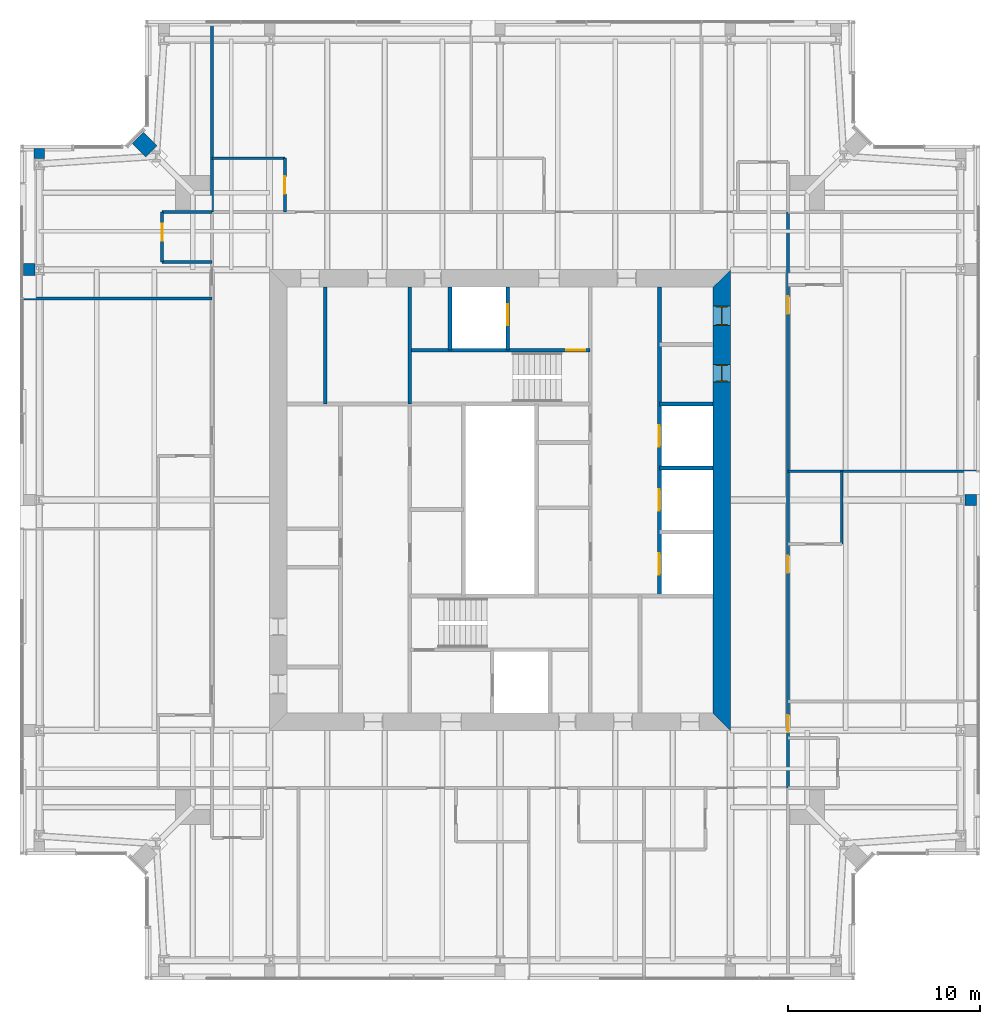
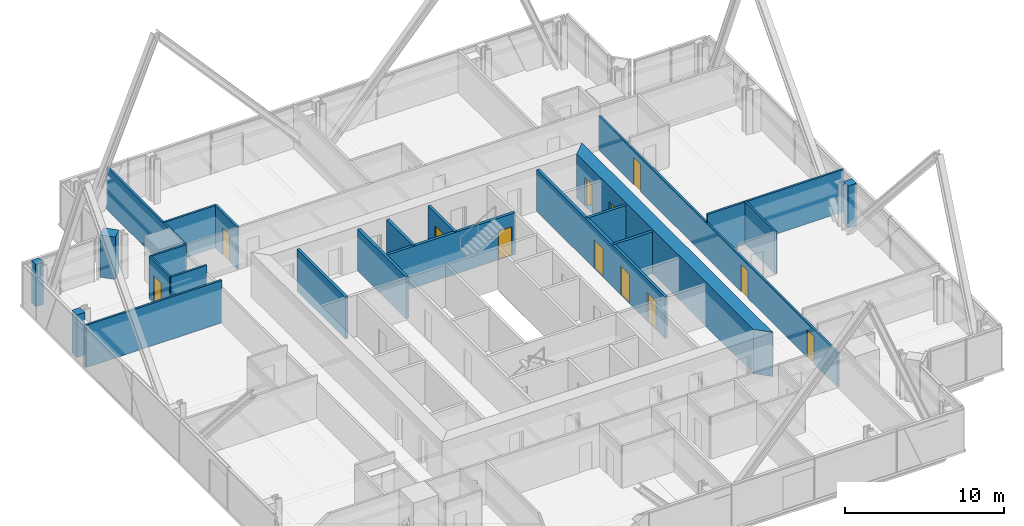
# One storey, part 13 of 19: 23 walls, 12 doors, 12 openings.
"""IFC4 building model written with IfcOpenShell, lengths in metres."""

from ifc_helpers import new_model, si_unit, direction, frame, frame_2d, origin, place, context, subcontext, project, spatial, polyline, rectangle, outline, extrude, material, layer, layer_set, type_object, element, fill, save


model = new_model("IFC4")

# Units and contexts
model_context = context("Model", 3, precision=1e-05, world=origin(), true_north=direction((0.0, 1.0)))
body_context = subcontext(model_context, "Body", "Model", "MODEL_VIEW")
ifc_project = project(units=[si_unit("LENGTHUNIT", "METRE"), si_unit("AREAUNIT", "SQUARE_METRE"), si_unit("VOLUMEUNIT", "CUBIC_METRE"), si_unit("PLANEANGLEUNIT", "RADIAN"), si_unit("MASSUNIT", "GRAM", prefix="KILO")], contexts=[model_context])

# Site, building, storey
site_placement = place(None, origin())
site = spatial("IfcSite", under=ifc_project, at=site_placement, CompositionType="ELEMENT")
building_placement = place(site_placement, origin())
building = spatial("IfcBuilding", under=site, at=building_placement, Name="Fenwick Lantern Interchange", CompositionType="ELEMENT")
storey_placement = place(building_placement, frame((0.0, 0.0, 283.199951171875)))
storey = spatial("IfcBuildingStorey", under=building, at=storey_placement, Name="L68", CompositionType="ELEMENT", Elevation=283.199951171875)

# Walls
ifc_material_1 = material(Name="Fire-rated gypsum board encasement on steel studs, 2 hour", Category="steel")
ifc_layer_1 = layer(ifc_material_1, 0.554931640625)
ifc_layer_set_1 = layer_set([ifc_layer_1], Name="COLUMN PIER 555")
wall_type_1 = type_object("IfcWallType", Name="COLUMN PIER 555", PredefinedType="PARTITIONING", material=ifc_layer_set_1)
wall_1_placement = place(storey_placement, frame((1.0, 43.31005859375, 0.0), z_axis=(0.0, 0.0, 1.0), x_axis=(0.0, -1.0, 0.0)))
element("IfcWall", 1, at=wall_1_placement, inside=storey, type_object=wall_type_1, Name="L68/W/PIER/CW1", PredefinedType="PARTITIONING", context=body_context, shape_type="SweptSolid", body=[
    extrude(rectangle(XDim=0.525634765625, YDim=0.554931640625, at=frame_2d((0.2626953125, 0.0))), origin(), (0.0, 0.0, 1.0), 3.25),
])
ifc_layer_2 = layer(ifc_material_1, 0.574951171875)
ifc_layer_set_2 = layer_set([ifc_layer_2], Name="COLUMN PIER 575")
wall_type_2 = type_object("IfcWallType", Name="COLUMN PIER 575", PredefinedType="PARTITIONING", material=ifc_layer_set_2)
wall_2_placement = place(storey_placement, frame((49.81005859375, 25.0, 0.0), z_axis=(0.0, 0.0, 1.0), x_axis=(-1.0, 0.0, 0.0)))
element("IfcWall", 2, at=wall_2_placement, inside=storey, type_object=wall_type_2, Name="L68/W/PIER/CE3", PredefinedType="PARTITIONING", context=body_context, shape_type="SweptSolid", body=[
    extrude(rectangle(XDim=0.597900390625, YDim=0.574951171875, at=frame_2d((0.298828125, 0.0))), origin(), (0.0, 0.0, 1.0), 3.25),
])
ifc_layer_3 = layer(ifc_material_1, 0.631103515625)
ifc_layer_set_3 = layer_set([ifc_layer_3], Name="COLUMN PIER 631")
wall_type_3 = type_object("IfcWallType", Name="COLUMN PIER 631", PredefinedType="PARTITIONING", material=ifc_layer_set_3)
wall_3_placement = place(storey_placement, frame((0.18994140625, 37.0, 0.0), z_axis=(0.0, 0.0, 1.0), x_axis=(1.0, 0.0, 0.0)))
element("IfcWall", 3, at=wall_3_placement, inside=storey, type_object=wall_type_3, Name="L68/W/PIER/CW2", PredefinedType="PARTITIONING", context=body_context, shape_type="SweptSolid", body=[
    extrude(rectangle(XDim=0.589111328125, YDim=0.631103515625, at=frame_2d((0.29443359375, 0.0))), origin(), (0.0, 0.0, 1.0), 3.25),
])
ifc_layer_4 = layer(ifc_material_1, 0.823974609375)
ifc_layer_set_4 = layer_set([ifc_layer_4], Name="COLUMN PIER 824")
wall_type_4 = type_object("IfcWallType", Name="COLUMN PIER 824", PredefinedType="PARTITIONING", material=ifc_layer_set_4)
wall_4_placement = place(storey_placement, frame((6.13427734375, 43.86572265625, 0.0), z_axis=(0.0, 0.0, 1.0), x_axis=(0.707106781187, -0.707106781187, 0.0)))
element("IfcWall", 4, at=wall_4_placement, inside=storey, type_object=wall_type_4, Name="L68/W/PIER/CNR", PredefinedType="PARTITIONING", context=body_context, shape_type="SweptSolid", body=[
    extrude(rectangle(XDim=1.003662109375, YDim=0.823974609375, at=frame_2d((0.501953125, 0.0))), origin(), (0.0, 0.0, 1.0), 3.25),
])

# Wall, openings, doors
ifc_material_2 = material(Name="Concrete masonry ASTM C90 Grade N", Category="masonry")
ifc_layer_5 = layer(ifc_material_2, 0.199951171875)
ifc_layer_set_5 = layer_set([ifc_layer_5], Name="Concrete masonry ASTM C90 Grade N")
wall_type_5 = type_object("IfcWallType", Name="CORE PARTITION 200", PredefinedType="PARTITIONING", material=ifc_layer_set_5)
wall_5_placement = place(storey_placement, frame((33.300048828125, 36.10009765625, 0.0), z_axis=(0.0, 0.0, 1.0), x_axis=(0.0, -1.0, 0.0)))
wall_5 = element("IfcWall", 5, at=wall_5_placement, inside=storey, type_object=wall_type_5, Name="L68/W/COREN/a", PredefinedType="PARTITIONING", context=body_context, shape_type="SweptSolid", body=[
    extrude(rectangle(XDim=16.10009765625, YDim=0.199951171875, at=frame_2d((8.050048828125, 0.0))), origin(), (0.0, 0.0, 1.0), 3.199951171875),
])
opening_1_placement = place(wall_5_placement, frame((7.216552734375, 0.0, 0.0)))
opening_1 = element("IfcOpeningElement", 6, at=opening_1_placement, cuts=wall_5, Name="Opening LD-E1-1", PredefinedType="OPENING", context=body_context, shape_type="SweptSolid", body=[
    extrude(rectangle(XDim=1.10009765625, YDim=2.199951171875, at=frame_2d((0.550048828125, 1.10009765625))), frame((0.0, 0.10986328125, 0.0), z_axis=(0.0, -1.0, 0.0), x_axis=(1.0, 0.0, 0.0)), (0.0, 0.0, 1.0), 0.219970703125),
])
opening_2_placement = place(wall_5_placement, frame((10.550048828125, 0.0, 0.0)))
opening_2 = element("IfcOpeningElement", 7, at=opening_2_placement, cuts=wall_5, Name="Opening LD-E1-2", PredefinedType="OPENING", context=body_context, shape_type="SweptSolid", body=[
    extrude(rectangle(XDim=1.10009765625, YDim=2.199951171875, at=frame_2d((0.550048828125, 1.10009765625))), frame((0.0, 0.10986328125, 0.0), z_axis=(0.0, -1.0, 0.0), x_axis=(1.0, 0.0, 0.0)), (0.0, 0.0, 1.0), 0.219970703125),
])
opening_3_placement = place(wall_5_placement, frame((13.88330078125, 0.0, 0.0)))
opening_3 = element("IfcOpeningElement", 8, at=opening_3_placement, cuts=wall_5, Name="Opening LD-E1-3", PredefinedType="OPENING", context=body_context, shape_type="SweptSolid", body=[
    extrude(rectangle(XDim=1.10009765625, YDim=2.199951171875, at=frame_2d((0.550048828125, 1.10009765625))), frame((0.0, 0.10986328125, 0.0), z_axis=(0.0, -1.0, 0.0), x_axis=(1.0, 0.0, 0.0)), (0.0, 0.0, 1.0), 0.219970703125),
])
ifc_material_3 = material(Name="Steel door and frame", Category="steel")
door_type_1 = type_object("IfcDoorType", Name="LIFT LANDING DOOR 1100 X 2200", OperationType="DOUBLE_DOOR_SLIDING", PredefinedType="DOOR", material=ifc_material_3)
door_1_placement = place(opening_1_placement, origin())
door_1 = element("IfcDoor", 9, at=door_1_placement, inside=storey, type_object=door_type_1, Name="Lift landing door E1-1", OperationType="DOUBLE_DOOR_SLIDING", OverallHeight=2.199951171875, OverallWidth=1.10009765625, PredefinedType="DOOR", context=body_context, shape_type="SweptSolid", body=[
    extrude(rectangle(XDim=1.10009765625, YDim=2.199951171875, at=frame_2d((0.550048828125, 1.10009765625))), frame((0.0, 0.02490234375, 0.0), z_axis=(0.0, -1.0, 0.0), x_axis=(1.0, 0.0, 0.0)), (0.0, 0.0, 1.0), 0.050048828125),
])
fill(opening_1, door_1)
door_2_placement = place(opening_2_placement, origin())
door_2 = element("IfcDoor", 10, at=door_2_placement, inside=storey, type_object=door_type_1, Name="Lift landing door E1-2", OperationType="DOUBLE_DOOR_SLIDING", OverallHeight=2.199951171875, OverallWidth=1.10009765625, PredefinedType="DOOR", context=body_context, shape_type="SweptSolid", body=[
    extrude(rectangle(XDim=1.10009765625, YDim=2.199951171875, at=frame_2d((0.550048828125, 1.10009765625))), frame((0.0, 0.02490234375, 0.0), z_axis=(0.0, -1.0, 0.0), x_axis=(1.0, 0.0, 0.0)), (0.0, 0.0, 1.0), 0.050048828125),
])
fill(opening_2, door_2)
door_3_placement = place(opening_3_placement, origin())
door_3 = element("IfcDoor", 11, at=door_3_placement, inside=storey, type_object=door_type_1, Name="Lift landing door E1-3", OperationType="DOUBLE_DOOR_SLIDING", OverallHeight=2.199951171875, OverallWidth=1.10009765625, PredefinedType="DOOR", context=body_context, shape_type="SweptSolid", body=[
    extrude(rectangle(XDim=1.10009765625, YDim=2.199951171875, at=frame_2d((0.550048828125, 1.10009765625))), frame((0.0, 0.02490234375, 0.0), z_axis=(0.0, -1.0, 0.0), x_axis=(1.0, 0.0, 0.0)), (0.0, 0.0, 1.0), 0.050048828125),
])
fill(opening_3, door_3)

# Walls
for number, where, z_axis, x_axis, name in (
    (12, (36.10009765625, 30.0, 0.0), (0.0, 0.0, 1.0), (-1.0, 0.0, 0.0), "L68/W/COREN/c2"),
    (13, (36.10009765625, 26.666748046875, 0.0), (0.0, 0.0, 1.0), (-1.0, 0.0, 0.0), "L68/W/COREN/d1"),
):
    element("IfcWall", number, at=place(storey_placement, frame(where, z_axis=z_axis, x_axis=x_axis)), inside=storey, type_object=wall_type_5, Name=name, PredefinedType="PARTITIONING", context=body_context, shape_type="SweptSolid", body=[
        extrude(rectangle(XDim=2.800048828125, YDim=0.199951171875, at=frame_2d((1.39990234375, 0.0))), origin(), (0.0, 0.0, 1.0), 3.199951171875),
    ])

# Wall, opening, door
wall_6_placement = place(storey_placement, frame((25.39990234375, 36.10009765625, 0.0), z_axis=(0.0, 0.0, 1.0), x_axis=(0.0, -1.0, 0.0)))
wall_6 = element("IfcWall", 14, at=wall_6_placement, inside=storey, type_object=wall_type_5, Name="L68/W/COREN/h1", PredefinedType="PARTITIONING", context=body_context, shape_type="SweptSolid", body=[
    extrude(rectangle(XDim=3.300048828125, YDim=0.199951171875, at=frame_2d((1.64990234375, 0.0))), origin(), (0.0, 0.0, 1.0), 3.199951171875),
])
opening_4_placement = place(wall_6_placement, frame((0.89990234375, 0.0, 0.0)))
opening_4 = element("IfcOpeningElement", 15, at=opening_4_placement, cuts=wall_6, Name="Opening LD-FL2", PredefinedType="OPENING", context=body_context, shape_type="SweptSolid", body=[
    extrude(rectangle(XDim=1.10009765625, YDim=2.199951171875, at=frame_2d((0.550048828125, 1.10009765625))), frame((0.0, 0.10986328125, 0.0), z_axis=(0.0, -1.0, 0.0), x_axis=(1.0, 0.0, 0.0)), (0.0, 0.0, 1.0), 0.219970703125),
])
door_4_placement = place(opening_4_placement, origin())
door_4 = element("IfcDoor", 16, at=door_4_placement, inside=storey, type_object=door_type_1, Name="Lift landing door FL2", OperationType="DOUBLE_DOOR_SLIDING", OverallHeight=2.199951171875, OverallWidth=1.10009765625, PredefinedType="DOOR", context=body_context, shape_type="SweptSolid", body=[
    extrude(rectangle(XDim=1.10009765625, YDim=2.199951171875, at=frame_2d((0.550048828125, 1.10009765625))), frame((0.0, 0.02490234375, 0.0), z_axis=(0.0, -1.0, 0.0), x_axis=(1.0, 0.0, 0.0)), (0.0, 0.0, 1.0), 0.050048828125),
])
fill(opening_4, door_4)

# Walls
wall_7_placement = place(storey_placement, frame((22.39990234375, 36.10009765625, 0.0), z_axis=(0.0, 0.0, 1.0), x_axis=(0.0, -1.0, 0.0)))
element("IfcWall", 17, at=wall_7_placement, inside=storey, type_object=wall_type_5, Name="L68/W/COREN/h2", PredefinedType="PARTITIONING", context=body_context, shape_type="SweptSolid", body=[
    extrude(rectangle(XDim=3.300048828125, YDim=0.199951171875, at=frame_2d((1.64990234375, 0.0))), origin(), (0.0, 0.0, 1.0), 3.199951171875),
])
wall_8_placement = place(storey_placement, frame((15.89990234375, 36.10009765625, 0.0), z_axis=(0.0, 0.0, 1.0), x_axis=(0.0, -1.0, 0.0)))
element("IfcWall", 18, at=wall_8_placement, inside=storey, type_object=wall_type_5, Name="L68/W/COREN/i2", PredefinedType="PARTITIONING", context=body_context, shape_type="SweptSolid", body=[
    extrude(rectangle(XDim=6.10009765625, YDim=0.199951171875, at=frame_2d((3.050048828125, 0.0))), origin(), (0.0, 0.0, 1.0), 3.199951171875),
])

# Wall, openings, doors
ifc_material_4 = material(Name="Concrete f'c 70 MPa", Category="concrete")
ifc_layer_6 = layer(ifc_material_4, 0.89990234375)
ifc_layer_set_6 = layer_set([ifc_layer_6], Name="CORE WALL 900")
wall_type_6 = type_object("IfcWallType", Name="CORE WALL 900", PredefinedType="SHEAR", material=ifc_layer_set_6)
wall_9_placement = place(storey_placement, frame((36.550048828125, 13.89990234375, 0.0), z_axis=(0.0, 0.0, 1.0), x_axis=(0.0, 1.0, 0.0)))
wall_9 = element("IfcWall", 19, at=wall_9_placement, inside=storey, type_object=wall_type_6, Name="L68/CORE/E", PredefinedType="SHEAR", context=body_context, shape_type="SweptSolid", body=[
    extrude(outline(polyline([(-0.89990234375, -0.449951171875), (23.10009765625, -0.449951171875), (22.199951171875, 0.449951171875), (0.0, 0.449951171875), (-0.89990234375, -0.449951171875)])), origin(), (0.0, 0.0, 1.0), 3.400146484375),
])
opening_5_placement = place(wall_9_placement, frame((20.199951171875, 0.0, 0.0)))
opening_5 = element("IfcOpeningElement", 20, at=opening_5_placement, cuts=wall_9, Name="Opening L68-D019", PredefinedType="OPENING", context=body_context, shape_type="SweptSolid", body=[
    extrude(rectangle(XDim=1.0, YDim=2.199951171875, at=frame_2d((0.5, 1.10009765625))), frame((0.0, 0.4599609375, 0.0), z_axis=(0.0, -1.0, 0.0), x_axis=(1.0, 0.0, 0.0)), (0.0, 0.0, 1.0), 0.919921875),
])
opening_6_placement = place(wall_9_placement, frame((17.25, 0.0, 0.0)))
opening_6 = element("IfcOpeningElement", 21, at=opening_6_placement, cuts=wall_9, Name="Opening L68-D020", PredefinedType="OPENING", context=body_context, shape_type="SweptSolid", body=[
    extrude(rectangle(XDim=0.89990234375, YDim=2.199951171875, at=frame_2d((0.449951171875, 1.10009765625))), frame((0.0, 0.4599609375, 0.0), z_axis=(0.0, -1.0, 0.0), x_axis=(1.0, 0.0, 0.0)), (0.0, 0.0, 1.0), 0.919921875),
])
door_type_2 = type_object("IfcDoorType", Name="SERVICE DOOR 900 X 2200", OperationType="SINGLE_SWING_LEFT", PredefinedType="DOOR", material=ifc_material_3)
door_5_placement = place(opening_6_placement, origin())
door_5 = element("IfcDoor", 22, at=door_5_placement, inside=storey, type_object=door_type_2, Name="Service door", OperationType="SINGLE_SWING_RIGHT", OverallHeight=2.199951171875, OverallWidth=0.89990234375, PredefinedType="DOOR", context=body_context, shape_type="SweptSolid", body=[
    extrude(rectangle(XDim=0.89990234375, YDim=2.199951171875, at=frame_2d((0.449951171875, 1.10009765625))), frame((0.0, 0.02490234375, 0.0), z_axis=(0.0, -1.0, 0.0), x_axis=(1.0, 0.0, 0.0)), (0.0, 0.0, 1.0), 0.050048828125),
    extrude(outline(polyline([(0.0, 0.0), (0.0400390625, 0.0), (0.0400390625, 2.159912109375), (0.85986328125, 2.159912109375), (0.85986328125, 0.0), (0.89990234375, 0.0), (0.89990234375, 2.199951171875), (0.0, 2.199951171875), (0.0, 0.0)])), frame((0.0, 0.300048828125, 0.0), z_axis=(0.0, -1.0, 0.0), x_axis=(1.0, 0.0, 0.0)), (0.0, 0.0, 1.0), 0.60009765625),
])
fill(opening_6, door_5)
ifc_material_5 = material(Name="Hardwood door and steel frame", Category="steel")
door_type_3 = type_object("IfcDoorType", Name="WC DOOR 1000 X 2200", OperationType="SINGLE_SWING_LEFT", PredefinedType="DOOR", material=ifc_material_5)
door_6_placement = place(opening_5_placement, origin())
door_6 = element("IfcDoor", 23, at=door_6_placement, inside=storey, type_object=door_type_3, Name="Wc door", OperationType="SINGLE_SWING_LEFT", OverallHeight=2.199951171875, OverallWidth=1.0, PredefinedType="DOOR", context=body_context, shape_type="SweptSolid", body=[
    extrude(rectangle(XDim=1.0, YDim=2.199951171875, at=frame_2d((0.5, 1.10009765625))), frame((0.0, 0.02490234375, 0.0), z_axis=(0.0, -1.0, 0.0), x_axis=(1.0, 0.0, 0.0)), (0.0, 0.0, 1.0), 0.050048828125),
    extrude(outline(polyline([(0.0, 0.0), (0.0400390625, 0.0), (0.0400390625, 2.159912109375), (0.9599609375, 2.159912109375), (0.9599609375, 0.0), (1.0, 0.0), (1.0, 2.199951171875), (0.0, 2.199951171875), (0.0, 0.0)])), frame((0.0, 0.300048828125, 0.0), z_axis=(0.0, -1.0, 0.0), x_axis=(1.0, 0.0, 0.0)), (0.0, 0.0, 1.0), 0.60009765625),
])
fill(opening_5, door_6)

ifc_material_6 = material(Name="Gypsum board on steel studs, 1 hour", Category="steel")
ifc_layer_7 = layer(ifc_material_6, 0.14990234375)
ifc_layer_set_7 = layer_set([ifc_layer_7], Name="CORRIDOR WALL 150")
wall_type_7 = type_object("IfcWallType", Name="CORRIDOR WALL 150", PredefinedType="PARTITIONING", material=ifc_layer_set_7)
wall_10_placement = place(storey_placement, frame((40.0, 10.0, 0.0), z_axis=(0.0, 0.0, 1.0), x_axis=(0.0, 1.0, 0.0)))
wall_10 = element("IfcWall", 24, at=wall_10_placement, inside=storey, type_object=wall_type_7, Name="L68/W/HOTEL/E/CW", PredefinedType="PARTITIONING", context=body_context, shape_type="SweptSolid", body=[
    extrude(rectangle(XDim=30.0, YDim=0.14990234375, at=frame_2d((15.0, 0.0))), origin(), (0.0, 0.0, 1.0), 2.637939453125),
])
opening_7_placement = place(wall_10_placement, frame((2.89990234375, 0.0, 0.0)))
opening_7 = element("IfcOpeningElement", 25, at=opening_7_placement, cuts=wall_10, Name="Opening L68-D032", PredefinedType="OPENING", context=body_context, shape_type="SweptSolid", body=[
    extrude(rectangle(XDim=0.89990234375, YDim=2.10009765625, at=frame_2d((0.449951171875, 1.050048828125))), frame((0.0, 0.0849609375, 0.0), z_axis=(0.0, -1.0, 0.0), x_axis=(1.0, 0.0, 0.0)), (0.0, 0.0, 1.0), 0.169921875),
])
opening_8_placement = place(wall_10_placement, frame((11.199951171875, 0.0, 0.0)))
opening_8 = element("IfcOpeningElement", 26, at=opening_8_placement, cuts=wall_10, Name="Opening L68-D035", PredefinedType="OPENING", context=body_context, shape_type="SweptSolid", body=[
    extrude(rectangle(XDim=0.89990234375, YDim=2.10009765625, at=frame_2d((0.449951171875, 1.050048828125))), frame((0.0, 0.0849609375, 0.0), z_axis=(0.0, -1.0, 0.0), x_axis=(1.0, 0.0, 0.0)), (0.0, 0.0, 1.0), 0.169921875),
])
opening_9_placement = place(wall_10_placement, frame((24.699951171875, 0.0, 0.0)))
opening_9 = element("IfcOpeningElement", 27, at=opening_9_placement, cuts=wall_10, Name="Opening L68-D037", PredefinedType="OPENING", context=body_context, shape_type="SweptSolid", body=[
    extrude(rectangle(XDim=0.89990234375, YDim=2.10009765625, at=frame_2d((0.449951171875, 1.050048828125))), frame((0.0, 0.0849609375, 0.0), z_axis=(0.0, -1.0, 0.0), x_axis=(1.0, 0.0, 0.0)), (0.0, 0.0, 1.0), 0.169921875),
])
door_type_4 = type_object("IfcDoorType", Name="GUEST ROOM DOOR 900 X 2100", OperationType="SINGLE_SWING_LEFT", PredefinedType="DOOR", material=ifc_material_3)
door_7_placement = place(opening_7_placement, frame((0.89990234375, 0.0, 0.0), z_axis=(0.0, 0.0, 1.0), x_axis=(-1.0, 0.0, 0.0)))
door_7 = element("IfcDoor", 28, at=door_7_placement, inside=storey, type_object=door_type_4, Name="Guest room door", OperationType="SINGLE_SWING_RIGHT", OverallHeight=2.10009765625, OverallWidth=0.89990234375, PredefinedType="DOOR", context=body_context, shape_type="SweptSolid", body=[
    extrude(rectangle(XDim=0.89990234375, YDim=2.10009765625, at=frame_2d((0.449951171875, 1.050048828125))), frame((0.0, 0.02490234375, 0.0), z_axis=(0.0, -1.0, 0.0), x_axis=(1.0, 0.0, 0.0)), (0.0, 0.0, 1.0), 0.050048828125),
])
fill(opening_7, door_7)
door_8_placement = place(opening_8_placement, frame((0.89990234375, 0.0, 0.0), z_axis=(0.0, 0.0, 1.0), x_axis=(-1.0, 0.0, 0.0)))
door_8 = element("IfcDoor", 29, at=door_8_placement, inside=storey, type_object=door_type_4, Name="Guest room door", OperationType="SINGLE_SWING_LEFT", OverallHeight=2.10009765625, OverallWidth=0.89990234375, PredefinedType="DOOR", context=body_context, shape_type="SweptSolid", body=[
    extrude(rectangle(XDim=0.89990234375, YDim=2.10009765625, at=frame_2d((0.449951171875, 1.050048828125))), frame((0.0, 0.02490234375, 0.0), z_axis=(0.0, -1.0, 0.0), x_axis=(1.0, 0.0, 0.0)), (0.0, 0.0, 1.0), 0.050048828125),
])
fill(opening_8, door_8)
door_9_placement = place(opening_9_placement, frame((0.89990234375, 0.0, 0.0), z_axis=(0.0, 0.0, 1.0), x_axis=(-1.0, 0.0, 0.0)))
door_9 = element("IfcDoor", 30, at=door_9_placement, inside=storey, type_object=door_type_4, Name="Guest room door", OperationType="SINGLE_SWING_LEFT", OverallHeight=2.10009765625, OverallWidth=0.89990234375, PredefinedType="DOOR", context=body_context, shape_type="SweptSolid", body=[
    extrude(rectangle(XDim=0.89990234375, YDim=2.10009765625, at=frame_2d((0.449951171875, 1.050048828125))), frame((0.0, 0.02490234375, 0.0), z_axis=(0.0, -1.0, 0.0), x_axis=(1.0, 0.0, 0.0)), (0.0, 0.0, 1.0), 0.050048828125),
])
fill(opening_9, door_9)

# Walls
ifc_material_7 = material(Name="Gypsum board on steel studs, moisture resistant", Category="steel")
ifc_layer_8 = layer(ifc_material_7, 0.14990234375)
ifc_layer_set_8 = layer_set([ifc_layer_8], Name="EN-SUITE WALL 150")
wall_type_8 = type_object("IfcWallType", Name="EN-SUITE WALL 150", PredefinedType="PARTITIONING", material=ifc_layer_set_8)
for number, where, z_axis, x_axis, name in (
    (31, (42.800048828125, 22.699951171875, 0.0), (0.0, 0.0, 1.0), (0.0, 1.0, 0.0), "L68/W/HOTEL/E/U2BW"),
    (32, (13.800048828125, 42.800048828125, 0.0), (0.0, 0.0, 1.0), (-1.0, 0.0, 0.0), "L68/W/HOTEL/N/U3BW"),
):
    element("IfcWall", number, at=place(storey_placement, frame(where, z_axis=z_axis, x_axis=x_axis)), inside=storey, type_object=wall_type_8, Name=name, PredefinedType="PARTITIONING", context=body_context, shape_type="SweptSolid", body=[
        extrude(rectangle(XDim=3.800048828125, YDim=0.14990234375, at=frame_2d((1.89990234375, 0.0))), origin(), (0.0, 0.0, 1.0), 3.25),
    ])

# Wall, opening, door
wall_11_placement = place(storey_placement, frame((13.800048828125, 42.800048828125, 0.0), z_axis=(0.0, 0.0, 1.0), x_axis=(0.0, -1.0, 0.0)))
wall_11 = element("IfcWall", 33, at=wall_11_placement, inside=storey, type_object=wall_type_8, Name="L68/W/HOTEL/N/U3BX", PredefinedType="PARTITIONING", context=body_context, shape_type="SweptSolid", body=[
    extrude(rectangle(XDim=2.800048828125, YDim=0.14990234375, at=frame_2d((1.39990234375, 0.0))), origin(), (0.0, 0.0, 1.0), 3.25),
])
opening_10_placement = place(wall_11_placement, frame((0.949951171875, 0.0, 0.0)))
opening_10 = element("IfcOpeningElement", 34, at=opening_10_placement, cuts=wall_11, Name="Opening L68-D042", PredefinedType="OPENING", context=body_context, shape_type="SweptSolid", body=[
    extrude(rectangle(XDim=0.89990234375, YDim=2.10009765625, at=frame_2d((0.449951171875, 1.050048828125))), frame((0.0, 0.0849609375, 0.0), z_axis=(0.0, -1.0, 0.0), x_axis=(1.0, 0.0, 0.0)), (0.0, 0.0, 1.0), 0.169921875),
])
door_type_5 = type_object("IfcDoorType", Name="EN-SUITE DOOR 900 X 2100", OperationType="SINGLE_SWING_LEFT", PredefinedType="DOOR", material=ifc_material_5)
door_10_placement = place(opening_10_placement, frame((0.89990234375, 0.0, 0.0), z_axis=(0.0, 0.0, 1.0), x_axis=(-1.0, 0.0, 0.0)))
door_10 = element("IfcDoor", 35, at=door_10_placement, inside=storey, type_object=door_type_5, Name="En-suite door", OperationType="SINGLE_SWING_RIGHT", OverallHeight=2.10009765625, OverallWidth=0.89990234375, PredefinedType="DOOR", context=body_context, shape_type="SweptSolid", body=[
    extrude(rectangle(XDim=0.89990234375, YDim=2.10009765625, at=frame_2d((0.449951171875, 1.050048828125))), frame((0.0, 0.02490234375, 0.0), z_axis=(0.0, -1.0, 0.0), x_axis=(1.0, 0.0, 0.0)), (0.0, 0.0, 1.0), 0.050048828125),
])
fill(opening_10, door_10)

wall_12_placement = place(storey_placement, frame((7.39990234375, 40.0, 0.0), z_axis=(0.0, 0.0, 1.0), x_axis=(0.0, -1.0, 0.0)))
wall_12 = element("IfcWall", 36, at=wall_12_placement, inside=storey, type_object=wall_type_8, Name="L68/W/HOTEL/W/U1BW", PredefinedType="PARTITIONING", context=body_context, shape_type="SweptSolid", body=[
    extrude(rectangle(XDim=2.60009765625, YDim=0.14990234375, at=frame_2d((1.300048828125, 0.0))), origin(), (0.0, 0.0, 1.0), 3.25),
])
opening_11_placement = place(wall_12_placement, frame((0.60009765625, 0.0, 0.0)))
opening_11 = element("IfcOpeningElement", 37, at=opening_11_placement, cuts=wall_12, Name="Opening L68-D045", PredefinedType="OPENING", context=body_context, shape_type="SweptSolid", body=[
    extrude(rectangle(XDim=0.89990234375, YDim=2.10009765625, at=frame_2d((0.449951171875, 1.050048828125))), frame((0.0, 0.0849609375, 0.0), z_axis=(0.0, -1.0, 0.0), x_axis=(1.0, 0.0, 0.0)), (0.0, 0.0, 1.0), 0.169921875),
])
door_11_placement = place(opening_11_placement, origin())
door_11 = element("IfcDoor", 38, at=door_11_placement, inside=storey, type_object=door_type_5, Name="En-suite door", OperationType="SINGLE_SWING_LEFT", OverallHeight=2.10009765625, OverallWidth=0.89990234375, PredefinedType="DOOR", context=body_context, shape_type="SweptSolid", body=[
    extrude(rectangle(XDim=0.89990234375, YDim=2.10009765625, at=frame_2d((0.449951171875, 1.050048828125))), frame((0.0, 0.02490234375, 0.0), z_axis=(0.0, -1.0, 0.0), x_axis=(1.0, 0.0, 0.0)), (0.0, 0.0, 1.0), 0.050048828125),
])
fill(opening_11, door_11)

# Walls
for number, where, z_axis, x_axis, name in (
    (39, (7.39990234375, 40.0, 0.0), (0.0, 0.0, 1.0), (1.0, 0.0, 0.0), "L68/W/HOTEL/W/U1BX"),
    (40, (7.39990234375, 37.39990234375, 0.0), (0.0, 0.0, 1.0), (1.0, 0.0, 0.0), "L68/W/HOTEL/W/U1BE"),
):
    element("IfcWall", number, at=place(storey_placement, frame(where, z_axis=z_axis, x_axis=x_axis)), inside=storey, type_object=wall_type_8, Name=name, PredefinedType="PARTITIONING", context=body_context, shape_type="SweptSolid", body=[
        extrude(rectangle(XDim=2.60009765625, YDim=0.14990234375, at=frame_2d((1.300048828125, 0.0))), origin(), (0.0, 0.0, 1.0), 3.25),
    ])
ifc_material_8 = material(Name="Gypsum board on steel studs, 1 hour acoustic", Category="steel")
ifc_layer_9 = layer(ifc_material_8, 0.14990234375)
ifc_layer_set_9 = layer_set([ifc_layer_9], Name="PARTY WALL 150")
wall_type_9 = type_object("IfcWallType", Name="PARTY WALL 150", PredefinedType="PARTITIONING", material=ifc_layer_set_9)
for number, where, z_axis, x_axis, name in (
    (41, (49.85009765625, 26.5, 0.0), (0.0, 0.0, 1.0), (-1.0, 0.0, 0.0), "L68/W/HOTEL/E/U3PW"),
    (42, (10.0, 49.85009765625, 0.0), (0.0, 0.0, 1.0), (0.0, -1.0, 0.0), "L68/W/HOTEL/W/SW3"),
    (43, (0.14990234375, 35.5, 0.0), (0.0, 0.0, 1.0), (1.0, 0.0, 0.0), "L68/W/HOTEL/W/U2PW"),
):
    element("IfcWall", number, at=place(storey_placement, frame(where, z_axis=z_axis, x_axis=x_axis)), inside=storey, type_object=wall_type_9, Name=name, PredefinedType="PARTITIONING", context=body_context, shape_type="SweptSolid", body=[
        extrude(rectangle(XDim=9.85009765625, YDim=0.14990234375, at=frame_2d((4.925048828125, 0.0))), origin(), (0.0, 0.0, 1.0), 3.25),
    ])

# Wall, opening, door
ifc_material_9 = material(Name="Concrete f'c 45 MPa", Category="concrete")
ifc_layer_10 = layer(ifc_material_9, 0.199951171875)
ifc_layer_set_10 = layer_set([ifc_layer_10], Name="STAIR CORE WALL 200")
wall_type_10 = type_object("IfcWallType", Name="STAIR CORE WALL 200", PredefinedType="SOLIDWALL", material=ifc_layer_set_10)
wall_13_placement = place(storey_placement, frame((29.699951171875, 32.800048828125, 0.0), z_axis=(0.0, 0.0, 1.0), x_axis=(-1.0, 0.0, 0.0)))
wall_13 = element("IfcWall", 44, at=wall_13_placement, inside=storey, type_object=wall_type_10, Name="L68/W/COREN/g1", PredefinedType="SOLIDWALL", context=body_context, shape_type="SweptSolid", body=[
    extrude(rectangle(XDim=9.39990234375, YDim=0.199951171875, at=frame_2d((4.699951171875, 0.0))), origin(), (0.0, 0.0, 1.0), 3.199951171875),
])
opening_12_placement = place(wall_13_placement, frame((0.25, 0.0, 0.0)))
opening_12 = element("IfcOpeningElement", 45, at=opening_12_placement, cuts=wall_13, Name="Opening L68-D015", PredefinedType="OPENING", context=body_context, shape_type="SweptSolid", body=[
    extrude(rectangle(XDim=1.0, YDim=2.199951171875, at=frame_2d((0.5, 1.10009765625))), frame((0.0, 0.10986328125, 0.0), z_axis=(0.0, -1.0, 0.0), x_axis=(1.0, 0.0, 0.0)), (0.0, 0.0, 1.0), 0.219970703125),
])
door_type_6 = type_object("IfcDoorType", Name="STAIR DOOR 1000 X 2200", OperationType="SINGLE_SWING_LEFT", PredefinedType="DOOR", material=ifc_material_3)
door_12_placement = place(opening_12_placement, origin())
door_12 = element("IfcDoor", 46, at=door_12_placement, inside=storey, type_object=door_type_6, Name="Stair door", OperationType="SINGLE_SWING_LEFT", OverallHeight=2.199951171875, OverallWidth=1.0, PredefinedType="DOOR", context=body_context, shape_type="SweptSolid", body=[
    extrude(rectangle(XDim=1.0, YDim=2.199951171875, at=frame_2d((0.5, 1.10009765625))), frame((0.0, 0.02490234375, 0.0), z_axis=(0.0, -1.0, 0.0), x_axis=(1.0, 0.0, 0.0)), (0.0, 0.0, 1.0), 0.050048828125),
])
fill(opening_12, door_12)

# Wall
wall_14_placement = place(storey_placement, frame((20.300048828125, 36.10009765625, 0.0), z_axis=(0.0, 0.0, 1.0), x_axis=(0.0, -1.0, 0.0)))
element("IfcWall", 47, at=wall_14_placement, inside=storey, type_object=wall_type_10, Name="L68/W/COREN/i1", PredefinedType="SOLIDWALL", context=body_context, shape_type="SweptSolid", body=[
    extrude(rectangle(XDim=6.10009765625, YDim=0.199951171875, at=frame_2d((3.050048828125, 0.0))), origin(), (0.0, 0.0, 1.0), 3.199951171875),
])

save(model, "model.ifc")
